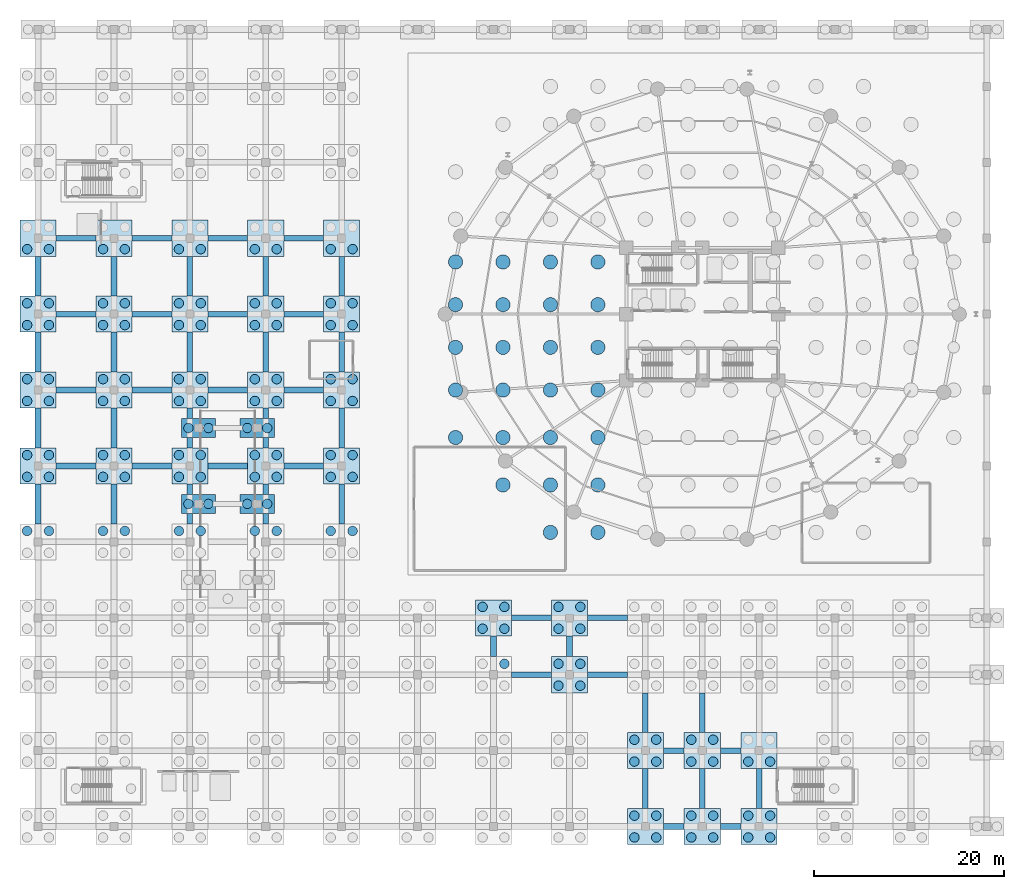
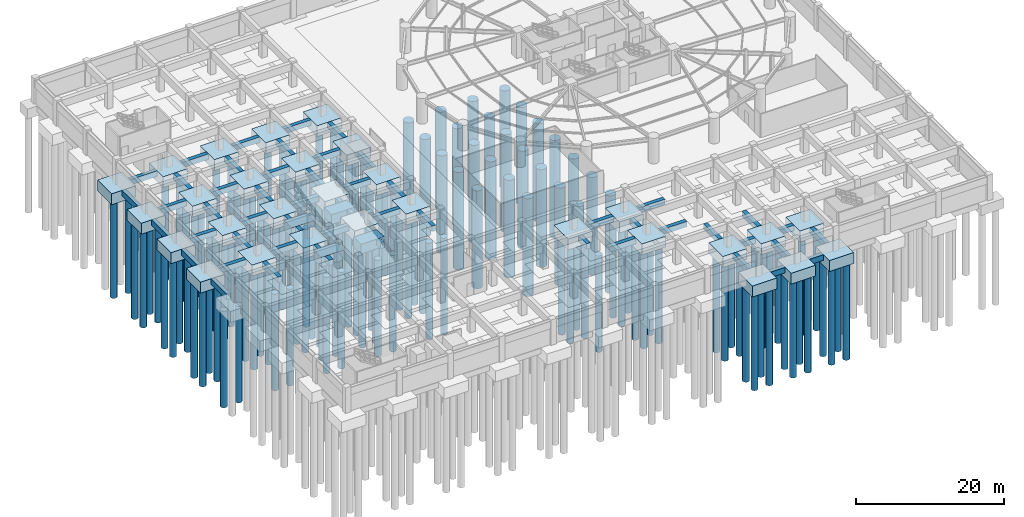
# One storey, part 2 of 23: 148 piles, 88 footings.
"""IFC4 building model written with IfcOpenShell, lengths in metres."""

from ifc_helpers import new_model, si_unit, direction, frame, origin, origin_2d, place, context, subcontext, project, spatial, rectangle, circle, extrude, source, transform, mapped, material, material_profile, profile_set, type_object, element, save


model = new_model("IFC4")

# Units and contexts
model_context = context("Model", 3, precision=1e-05, world=origin(), true_north=direction((0.0, 1.0)))
body_context = subcontext(model_context, "Body", "Model", "MODEL_VIEW")
ifc_project = project(units=[si_unit("LENGTHUNIT", "METRE"), si_unit("AREAUNIT", "SQUARE_METRE"), si_unit("VOLUMEUNIT", "CUBIC_METRE"), si_unit("PLANEANGLEUNIT", "RADIAN"), si_unit("MASSUNIT", "GRAM", prefix="KILO")], contexts=[model_context])

# Site, building, storey
site_placement = place(None, origin())
site = spatial("IfcSite", under=ifc_project, at=site_placement, CompositionType="ELEMENT")
building_placement = place(site_placement, origin())
building = spatial("IfcBuilding", under=site, at=building_placement, Name="Kelanora Arch Commons", CompositionType="ELEMENT")
storey_placement = place(building_placement, frame((0.0, 0.0, -8.39990234375)))
storey = spatial("IfcBuildingStorey", under=building, at=storey_placement, Name="B02", CompositionType="ELEMENT", Elevation=-8.39990234375)

# Piles
ifc_material_1 = material(Name="Concrete C45/55", Category="concrete")
ifc_material_profile_1 = material_profile(ifc_material_1, circle(Radius=0.75, at=origin_2d()), Name="PILE1500")
ifc_profile_set_1 = profile_set([ifc_material_profile_1], Name="Concrete C45/55")
pile_type_1 = type_object("IfcPileType", Name="PILE-TWR-1500", PredefinedType="BORED", material=ifc_profile_set_1)
shared_shape_1 = source(origin(), body_context, "Body", "SweptSolid", [
    extrude(circle(Radius=0.75, at=origin_2d()), origin(), (0.0, 0.0, 1.0), 16.10009765625),
])
for number, where, z_axis, x_axis, name in (
    (1, (48.0, 45.0, -3.5), (0.0, 0.0, -1.0), (1.0, 0.0, 0.0), "Tower Bored Pile 001"),
    (2, (48.0, 50.0, -3.5), (0.0, 0.0, -1.0), (1.0, 0.0, 0.0), "Tower Bored Pile 002"),
    (3, (48.0, 54.5, -3.5), (0.0, 0.0, -1.0), (1.0, 0.0, 0.0), "Tower Bored Pile 003"),
    (4, (48.0, 59.0, -3.5), (0.0, 0.0, -1.0), (1.0, 0.0, 0.0), "Tower Bored Pile 004"),
    (5, (48.0, 63.5, -3.5), (0.0, 0.0, -1.0), (1.0, 0.0, 0.0), "Tower Bored Pile 005"),
    (6, (53.0, 40.0, -3.5), (0.0, 0.0, -1.0), (1.0, 0.0, 0.0), "Tower Bored Pile 008"),
    (7, (53.0, 45.0, -3.5), (0.0, 0.0, -1.0), (1.0, 0.0, 0.0), "Tower Bored Pile 009"),
    (8, (53.0, 50.0, -3.5), (0.0, 0.0, -1.0), (1.0, 0.0, 0.0), "Tower Bored Pile 010"),
    (9, (53.0, 54.5, -3.5), (0.0, 0.0, -1.0), (1.0, 0.0, 0.0), "Tower Bored Pile 011"),
    (10, (53.0, 59.0, -3.5), (0.0, 0.0, -1.0), (1.0, 0.0, 0.0), "Tower Bored Pile 012"),
    (11, (53.0, 63.5, -3.5), (0.0, 0.0, -1.0), (1.0, 0.0, 0.0), "Tower Bored Pile 013"),
    (12, (58.0, 35.0, -3.5), (0.0, 0.0, -1.0), (1.0, 0.0, 0.0), "Tower Bored Pile 017"),
    (13, (58.0, 40.0, -3.5), (0.0, 0.0, -1.0), (1.0, 0.0, 0.0), "Tower Bored Pile 018"),
    (14, (58.0, 45.0, -3.5), (0.0, 0.0, -1.0), (1.0, 0.0, 0.0), "Tower Bored Pile 019"),
    (15, (58.0, 50.0, -3.5), (0.0, 0.0, -1.0), (1.0, 0.0, 0.0), "Tower Bored Pile 020"),
    (16, (58.0, 54.5, -3.5), (0.0, 0.0, -1.0), (1.0, 0.0, 0.0), "Tower Bored Pile 021"),
    (17, (58.0, 59.0, -3.5), (0.0, 0.0, -1.0), (1.0, 0.0, 0.0), "Tower Bored Pile 022"),
    (18, (58.0, 63.5, -3.5), (0.0, 0.0, -1.0), (1.0, 0.0, 0.0), "Tower Bored Pile 023"),
    (19, (63.0, 35.0, -3.5), (0.0, 0.0, -1.0), (1.0, 0.0, 0.0), "Tower Bored Pile 028"),
    (20, (63.0, 40.0, -3.5), (0.0, 0.0, -1.0), (1.0, 0.0, 0.0), "Tower Bored Pile 029"),
    (21, (63.0, 45.0, -3.5), (0.0, 0.0, -1.0), (1.0, 0.0, 0.0), "Tower Bored Pile 030"),
    (22, (63.0, 50.0, -3.5), (0.0, 0.0, -1.0), (1.0, 0.0, 0.0), "Tower Bored Pile 031"),
    (23, (63.0, 54.5, -3.5), (0.0, 0.0, -1.0), (1.0, 0.0, 0.0), "Tower Bored Pile 032"),
    (24, (63.0, 59.0, -3.5), (0.0, 0.0, -1.0), (1.0, 0.0, 0.0), "Tower Bored Pile 033"),
    (25, (63.0, 63.5, -3.5), (0.0, 0.0, -1.0), (1.0, 0.0, 0.0), "Tower Bored Pile 034"),
):
    element("IfcPile", number, at=place(storey_placement, frame(where, z_axis=z_axis, x_axis=x_axis)), inside=storey, type_object=pile_type_1, Name=name, PredefinedType="BORED", context=body_context, shape_type="MappedRepresentation", body=[
        mapped(shared_shape_1, transform((0.0, 0.0, 0.0), scale=1.0)),
    ])

# Footings
ifc_material_2 = material(Name="Concrete C40/50", Category="concrete")
footing_type_1 = type_object("IfcFootingType", Name="FTG-MKT-CAP4", PredefinedType="PILE_CAP", material=ifc_material_2)
shared_shape_2 = source(origin(), body_context, "Body", "SweptSolid", [
    extrude(rectangle(XDim=3.800048828125, YDim=3.800048828125, at=origin_2d()), origin(), (0.0, 0.0, 1.0), 1.800048828125),
])
for number, where, z_axis, x_axis, name in (
    (26, (4.0, 42.0, -1.80029296875), (0.0, 0.0, 1.0), (1.0, 0.0, 0.0), "Pile Cap 1-F"),
    (27, (4.0, 50.0, -1.80029296875), (0.0, 0.0, 1.0), (1.0, 0.0, 0.0), "Pile Cap 1-G"),
    (28, (4.0, 58.0, -1.80029296875), (0.0, 0.0, 1.0), (1.0, 0.0, 0.0), "Pile Cap 1-H"),
    (29, (4.0, 66.0, -1.80029296875), (0.0, 0.0, 1.0), (1.0, 0.0, 0.0), "Pile Cap 1-J"),
    (30, (12.0, 42.0, -1.80029296875), (0.0, 0.0, 1.0), (1.0, 0.0, 0.0), "Pile Cap 2-F"),
    (31, (12.0, 50.0, -1.80029296875), (0.0, 0.0, 1.0), (1.0, 0.0, 0.0), "Pile Cap 2-G"),
    (32, (12.0, 58.0, -1.80029296875), (0.0, 0.0, 1.0), (1.0, 0.0, 0.0), "Pile Cap 2-H"),
    (33, (12.0, 66.0, -1.80029296875), (0.0, 0.0, 1.0), (1.0, 0.0, 0.0), "Pile Cap 2-J"),
    (34, (20.0, 42.0, -1.80029296875), (0.0, 0.0, 1.0), (1.0, 0.0, 0.0), "Pile Cap 3-F"),
    (35, (20.0, 50.0, -1.80029296875), (0.0, 0.0, 1.0), (1.0, 0.0, 0.0), "Pile Cap 3-G"),
    (36, (20.0, 58.0, -1.80029296875), (0.0, 0.0, 1.0), (1.0, 0.0, 0.0), "Pile Cap 3-H"),
    (37, (20.0, 66.0, -1.80029296875), (0.0, 0.0, 1.0), (1.0, 0.0, 0.0), "Pile Cap 3-J"),
    (38, (28.0, 42.0, -1.80029296875), (0.0, 0.0, 1.0), (1.0, 0.0, 0.0), "Pile Cap 4-F"),
    (39, (28.0, 50.0, -1.80029296875), (0.0, 0.0, 1.0), (1.0, 0.0, 0.0), "Pile Cap 4-G"),
    (40, (28.0, 58.0, -1.80029296875), (0.0, 0.0, 1.0), (1.0, 0.0, 0.0), "Pile Cap 4-H"),
    (41, (28.0, 66.0, -1.80029296875), (0.0, 0.0, 1.0), (1.0, 0.0, 0.0), "Pile Cap 4-J"),
    (42, (36.0, 42.0, -1.80029296875), (0.0, 0.0, 1.0), (1.0, 0.0, 0.0), "Pile Cap 5-F"),
    (43, (36.0, 50.0, -1.80029296875), (0.0, 0.0, 1.0), (1.0, 0.0, 0.0), "Pile Cap 5-G"),
    (44, (36.0, 58.0, -1.80029296875), (0.0, 0.0, 1.0), (1.0, 0.0, 0.0), "Pile Cap 5-H"),
    (45, (36.0, 66.0, -1.80029296875), (0.0, 0.0, 1.0), (1.0, 0.0, 0.0), "Pile Cap 5-J"),
    (46, (52.0, 26.0, -1.80029296875), (0.0, 0.0, 1.0), (1.0, 0.0, 0.0), "Pile Cap 7-D"),
    (47, (60.0, 20.0, -1.80029296875), (0.0, 0.0, 1.0), (1.0, 0.0, 0.0), "Pile Cap 8-C"),
    (48, (60.0, 26.0, -1.80029296875), (0.0, 0.0, 1.0), (1.0, 0.0, 0.0), "Pile Cap 8-D"),
    (49, (68.0, 4.0, -1.80029296875), (0.0, 0.0, 1.0), (1.0, 0.0, 0.0), "Pile Cap 9-A"),
    (50, (68.0, 12.0, -1.80029296875), (0.0, 0.0, 1.0), (1.0, 0.0, 0.0), "Pile Cap 9-B"),
    (51, (74.0, 4.0, -1.80029296875), (0.0, 0.0, 1.0), (1.0, 0.0, 0.0), "Pile Cap 10-A"),
    (52, (74.0, 12.0, -1.80029296875), (0.0, 0.0, 1.0), (1.0, 0.0, 0.0), "Pile Cap 10-B"),
    (53, (80.0, 4.0, -1.80029296875), (0.0, 0.0, 1.0), (1.0, 0.0, 0.0), "Pile Cap 11-A"),
    (54, (80.0, 12.0, -1.80029296875), (0.0, 0.0, 1.0), (1.0, 0.0, 0.0), "Pile Cap 11-B"),
):
    element("IfcFooting", number, at=place(storey_placement, frame(where, z_axis=z_axis, x_axis=x_axis)), inside=storey, type_object=footing_type_1, Name=name, PredefinedType="PILE_CAP", context=body_context, shape_type="MappedRepresentation", body=[
        mapped(shared_shape_2, transform((0.0, 0.0, 0.0), scale=1.0)),
    ])

# Piles
ifc_material_profile_2 = material_profile(ifc_material_1, circle(Radius=0.5, at=origin_2d()), Name="PILE1000")
ifc_profile_set_2 = profile_set([ifc_material_profile_2], Name="Concrete C45/55")
pile_type_2 = type_object("IfcPileType", Name="PILE-MKT-1000", PredefinedType="BORED", material=ifc_profile_set_2)
shared_shape_3 = source(origin(), body_context, "Body", "SweptSolid", [
    extrude(circle(Radius=0.5, at=origin_2d()), origin(), (0.0, 0.0, 1.0), 15.89990234375),
])
for number, where, z_axis, x_axis, name in (
    (55, (5.14990234375, 35.14990234375, -1.7001953125), (0.0, 0.0, -1.0), (1.0, 0.0, 0.0), "Market Bored Pile 1-E-3"),
    (56, (2.85009765625, 35.14990234375, -1.7001953125), (0.0, 0.0, -1.0), (1.0, 0.0, 0.0), "Market Bored Pile 1-E-4"),
    (57, (2.85009765625, 40.85009765625, -1.7001953125), (0.0, 0.0, -1.0), (1.0, 0.0, 0.0), "Market Bored Pile 1-F-1"),
    (58, (5.14990234375, 40.85009765625, -1.7001953125), (0.0, 0.0, -1.0), (1.0, 0.0, 0.0), "Market Bored Pile 1-F-2"),
    (59, (5.14990234375, 43.14990234375, -1.7001953125), (0.0, 0.0, -1.0), (1.0, 0.0, 0.0), "Market Bored Pile 1-F-3"),
    (60, (2.85009765625, 43.14990234375, -1.7001953125), (0.0, 0.0, -1.0), (1.0, 0.0, 0.0), "Market Bored Pile 1-F-4"),
    (61, (2.85009765625, 48.85009765625, -1.7001953125), (0.0, 0.0, -1.0), (1.0, 0.0, 0.0), "Market Bored Pile 1-G-1"),
    (62, (5.14990234375, 48.85009765625, -1.7001953125), (0.0, 0.0, -1.0), (1.0, 0.0, 0.0), "Market Bored Pile 1-G-2"),
    (63, (5.14990234375, 51.14990234375, -1.7001953125), (0.0, 0.0, -1.0), (1.0, 0.0, 0.0), "Market Bored Pile 1-G-3"),
    (64, (2.85009765625, 51.14990234375, -1.7001953125), (0.0, 0.0, -1.0), (1.0, 0.0, 0.0), "Market Bored Pile 1-G-4"),
    (65, (2.85009765625, 56.85009765625, -1.7001953125), (0.0, 0.0, -1.0), (1.0, 0.0, 0.0), "Market Bored Pile 1-H-1"),
    (66, (5.14990234375, 56.85009765625, -1.7001953125), (0.0, 0.0, -1.0), (1.0, 0.0, 0.0), "Market Bored Pile 1-H-2"),
    (67, (5.14990234375, 59.14990234375, -1.7001953125), (0.0, 0.0, -1.0), (1.0, 0.0, 0.0), "Market Bored Pile 1-H-3"),
    (68, (2.85009765625, 59.14990234375, -1.7001953125), (0.0, 0.0, -1.0), (1.0, 0.0, 0.0), "Market Bored Pile 1-H-4"),
    (69, (2.85009765625, 64.85009765625, -1.7001953125), (0.0, 0.0, -1.0), (1.0, 0.0, 0.0), "Market Bored Pile 1-J-1"),
    (70, (5.14990234375, 64.85009765625, -1.7001953125), (0.0, 0.0, -1.0), (1.0, 0.0, 0.0), "Market Bored Pile 1-J-2"),
    (71, (13.14990234375, 35.14990234375, -1.7001953125), (0.0, 0.0, -1.0), (1.0, 0.0, 0.0), "Market Bored Pile 2-E-3"),
    (72, (10.85009765625, 35.14990234375, -1.7001953125), (0.0, 0.0, -1.0), (1.0, 0.0, 0.0), "Market Bored Pile 2-E-4"),
    (73, (10.85009765625, 40.85009765625, -1.7001953125), (0.0, 0.0, -1.0), (1.0, 0.0, 0.0), "Market Bored Pile 2-F-1"),
    (74, (13.14990234375, 40.85009765625, -1.7001953125), (0.0, 0.0, -1.0), (1.0, 0.0, 0.0), "Market Bored Pile 2-F-2"),
    (75, (13.14990234375, 43.14990234375, -1.7001953125), (0.0, 0.0, -1.0), (1.0, 0.0, 0.0), "Market Bored Pile 2-F-3"),
    (76, (10.85009765625, 43.14990234375, -1.7001953125), (0.0, 0.0, -1.0), (1.0, 0.0, 0.0), "Market Bored Pile 2-F-4"),
    (77, (10.85009765625, 48.85009765625, -1.7001953125), (0.0, 0.0, -1.0), (1.0, 0.0, 0.0), "Market Bored Pile 2-G-1"),
    (78, (13.14990234375, 48.85009765625, -1.7001953125), (0.0, 0.0, -1.0), (1.0, 0.0, 0.0), "Market Bored Pile 2-G-2"),
    (79, (13.14990234375, 51.14990234375, -1.7001953125), (0.0, 0.0, -1.0), (1.0, 0.0, 0.0), "Market Bored Pile 2-G-3"),
    (80, (10.85009765625, 51.14990234375, -1.7001953125), (0.0, 0.0, -1.0), (1.0, 0.0, 0.0), "Market Bored Pile 2-G-4"),
    (81, (10.85009765625, 56.85009765625, -1.7001953125), (0.0, 0.0, -1.0), (1.0, 0.0, 0.0), "Market Bored Pile 2-H-1"),
    (82, (13.14990234375, 56.85009765625, -1.7001953125), (0.0, 0.0, -1.0), (1.0, 0.0, 0.0), "Market Bored Pile 2-H-2"),
    (83, (13.14990234375, 59.14990234375, -1.7001953125), (0.0, 0.0, -1.0), (1.0, 0.0, 0.0), "Market Bored Pile 2-H-3"),
    (84, (10.85009765625, 59.14990234375, -1.7001953125), (0.0, 0.0, -1.0), (1.0, 0.0, 0.0), "Market Bored Pile 2-H-4"),
    (85, (10.85009765625, 64.85009765625, -1.7001953125), (0.0, 0.0, -1.0), (1.0, 0.0, 0.0), "Market Bored Pile 2-J-1"),
    (86, (13.14990234375, 64.85009765625, -1.7001953125), (0.0, 0.0, -1.0), (1.0, 0.0, 0.0), "Market Bored Pile 2-J-2"),
    (87, (21.14990234375, 35.14990234375, -1.7001953125), (0.0, 0.0, -1.0), (1.0, 0.0, 0.0), "Market Bored Pile 3-E-3"),
    (88, (18.85009765625, 35.14990234375, -1.7001953125), (0.0, 0.0, -1.0), (1.0, 0.0, 0.0), "Market Bored Pile 3-E-4"),
    (89, (18.85009765625, 40.85009765625, -1.7001953125), (0.0, 0.0, -1.0), (1.0, 0.0, 0.0), "Market Bored Pile 3-F-1"),
    (90, (21.14990234375, 40.85009765625, -1.7001953125), (0.0, 0.0, -1.0), (1.0, 0.0, 0.0), "Market Bored Pile 3-F-2"),
    (91, (21.14990234375, 43.14990234375, -1.7001953125), (0.0, 0.0, -1.0), (1.0, 0.0, 0.0), "Market Bored Pile 3-F-3"),
    (92, (18.85009765625, 43.14990234375, -1.7001953125), (0.0, 0.0, -1.0), (1.0, 0.0, 0.0), "Market Bored Pile 3-F-4"),
    (93, (18.85009765625, 48.85009765625, -1.7001953125), (0.0, 0.0, -1.0), (1.0, 0.0, 0.0), "Market Bored Pile 3-G-1"),
    (94, (21.14990234375, 48.85009765625, -1.7001953125), (0.0, 0.0, -1.0), (1.0, 0.0, 0.0), "Market Bored Pile 3-G-2"),
    (95, (21.14990234375, 51.14990234375, -1.7001953125), (0.0, 0.0, -1.0), (1.0, 0.0, 0.0), "Market Bored Pile 3-G-3"),
    (96, (18.85009765625, 51.14990234375, -1.7001953125), (0.0, 0.0, -1.0), (1.0, 0.0, 0.0), "Market Bored Pile 3-G-4"),
    (97, (18.85009765625, 56.85009765625, -1.7001953125), (0.0, 0.0, -1.0), (1.0, 0.0, 0.0), "Market Bored Pile 3-H-1"),
    (98, (21.14990234375, 56.85009765625, -1.7001953125), (0.0, 0.0, -1.0), (1.0, 0.0, 0.0), "Market Bored Pile 3-H-2"),
    (99, (21.14990234375, 59.14990234375, -1.7001953125), (0.0, 0.0, -1.0), (1.0, 0.0, 0.0), "Market Bored Pile 3-H-3"),
    (100, (18.85009765625, 59.14990234375, -1.7001953125), (0.0, 0.0, -1.0), (1.0, 0.0, 0.0), "Market Bored Pile 3-H-4"),
    (101, (18.85009765625, 64.85009765625, -1.7001953125), (0.0, 0.0, -1.0), (1.0, 0.0, 0.0), "Market Bored Pile 3-J-1"),
    (102, (21.14990234375, 64.85009765625, -1.7001953125), (0.0, 0.0, -1.0), (1.0, 0.0, 0.0), "Market Bored Pile 3-J-2"),
    (103, (29.14990234375, 35.14990234375, -1.7001953125), (0.0, 0.0, -1.0), (1.0, 0.0, 0.0), "Market Bored Pile 4-E-3"),
    (104, (26.85009765625, 35.14990234375, -1.7001953125), (0.0, 0.0, -1.0), (1.0, 0.0, 0.0), "Market Bored Pile 4-E-4"),
    (105, (26.85009765625, 40.85009765625, -1.7001953125), (0.0, 0.0, -1.0), (1.0, 0.0, 0.0), "Market Bored Pile 4-F-1"),
    (106, (29.14990234375, 40.85009765625, -1.7001953125), (0.0, 0.0, -1.0), (1.0, 0.0, 0.0), "Market Bored Pile 4-F-2"),
    (107, (29.14990234375, 43.14990234375, -1.7001953125), (0.0, 0.0, -1.0), (1.0, 0.0, 0.0), "Market Bored Pile 4-F-3"),
    (108, (26.85009765625, 43.14990234375, -1.7001953125), (0.0, 0.0, -1.0), (1.0, 0.0, 0.0), "Market Bored Pile 4-F-4"),
    (109, (26.85009765625, 48.85009765625, -1.7001953125), (0.0, 0.0, -1.0), (1.0, 0.0, 0.0), "Market Bored Pile 4-G-1"),
    (110, (29.14990234375, 48.85009765625, -1.7001953125), (0.0, 0.0, -1.0), (1.0, 0.0, 0.0), "Market Bored Pile 4-G-2"),
    (111, (29.14990234375, 51.14990234375, -1.7001953125), (0.0, 0.0, -1.0), (1.0, 0.0, 0.0), "Market Bored Pile 4-G-3"),
    (112, (26.85009765625, 51.14990234375, -1.7001953125), (0.0, 0.0, -1.0), (1.0, 0.0, 0.0), "Market Bored Pile 4-G-4"),
    (113, (26.85009765625, 56.85009765625, -1.7001953125), (0.0, 0.0, -1.0), (1.0, 0.0, 0.0), "Market Bored Pile 4-H-1"),
    (114, (29.14990234375, 56.85009765625, -1.7001953125), (0.0, 0.0, -1.0), (1.0, 0.0, 0.0), "Market Bored Pile 4-H-2"),
    (115, (29.14990234375, 59.14990234375, -1.7001953125), (0.0, 0.0, -1.0), (1.0, 0.0, 0.0), "Market Bored Pile 4-H-3"),
    (116, (26.85009765625, 59.14990234375, -1.7001953125), (0.0, 0.0, -1.0), (1.0, 0.0, 0.0), "Market Bored Pile 4-H-4"),
    (117, (26.85009765625, 64.85009765625, -1.7001953125), (0.0, 0.0, -1.0), (1.0, 0.0, 0.0), "Market Bored Pile 4-J-1"),
    (118, (29.14990234375, 64.85009765625, -1.7001953125), (0.0, 0.0, -1.0), (1.0, 0.0, 0.0), "Market Bored Pile 4-J-2"),
    (119, (37.14990234375, 35.14990234375, -1.7001953125), (0.0, 0.0, -1.0), (1.0, 0.0, 0.0), "Market Bored Pile 5-E-3"),
    (120, (34.85009765625, 35.14990234375, -1.7001953125), (0.0, 0.0, -1.0), (1.0, 0.0, 0.0), "Market Bored Pile 5-E-4"),
    (121, (34.85009765625, 40.85009765625, -1.7001953125), (0.0, 0.0, -1.0), (1.0, 0.0, 0.0), "Market Bored Pile 5-F-1"),
    (122, (37.14990234375, 40.85009765625, -1.7001953125), (0.0, 0.0, -1.0), (1.0, 0.0, 0.0), "Market Bored Pile 5-F-2"),
    (123, (37.14990234375, 43.14990234375, -1.7001953125), (0.0, 0.0, -1.0), (1.0, 0.0, 0.0), "Market Bored Pile 5-F-3"),
    (124, (34.85009765625, 43.14990234375, -1.7001953125), (0.0, 0.0, -1.0), (1.0, 0.0, 0.0), "Market Bored Pile 5-F-4"),
    (125, (34.85009765625, 48.85009765625, -1.7001953125), (0.0, 0.0, -1.0), (1.0, 0.0, 0.0), "Market Bored Pile 5-G-1"),
    (126, (37.14990234375, 48.85009765625, -1.7001953125), (0.0, 0.0, -1.0), (1.0, 0.0, 0.0), "Market Bored Pile 5-G-2"),
    (127, (37.14990234375, 51.14990234375, -1.7001953125), (0.0, 0.0, -1.0), (1.0, 0.0, 0.0), "Market Bored Pile 5-G-3"),
    (128, (34.85009765625, 51.14990234375, -1.7001953125), (0.0, 0.0, -1.0), (1.0, 0.0, 0.0), "Market Bored Pile 5-G-4"),
    (129, (34.85009765625, 56.85009765625, -1.7001953125), (0.0, 0.0, -1.0), (1.0, 0.0, 0.0), "Market Bored Pile 5-H-1"),
    (130, (37.14990234375, 56.85009765625, -1.7001953125), (0.0, 0.0, -1.0), (1.0, 0.0, 0.0), "Market Bored Pile 5-H-2"),
    (131, (37.14990234375, 59.14990234375, -1.7001953125), (0.0, 0.0, -1.0), (1.0, 0.0, 0.0), "Market Bored Pile 5-H-3"),
    (132, (34.85009765625, 59.14990234375, -1.7001953125), (0.0, 0.0, -1.0), (1.0, 0.0, 0.0), "Market Bored Pile 5-H-4"),
    (133, (34.85009765625, 64.85009765625, -1.7001953125), (0.0, 0.0, -1.0), (1.0, 0.0, 0.0), "Market Bored Pile 5-J-1"),
    (134, (37.14990234375, 64.85009765625, -1.7001953125), (0.0, 0.0, -1.0), (1.0, 0.0, 0.0), "Market Bored Pile 5-J-2"),
    (135, (53.14990234375, 21.14990234375, -1.7001953125), (0.0, 0.0, -1.0), (1.0, 0.0, 0.0), "Market Bored Pile 7-C-3"),
    (136, (50.85009765625, 24.85009765625, -1.7001953125), (0.0, 0.0, -1.0), (1.0, 0.0, 0.0), "Market Bored Pile 7-D-1"),
    (137, (53.14990234375, 24.85009765625, -1.7001953125), (0.0, 0.0, -1.0), (1.0, 0.0, 0.0), "Market Bored Pile 7-D-2"),
    (138, (53.14990234375, 27.14990234375, -1.7001953125), (0.0, 0.0, -1.0), (1.0, 0.0, 0.0), "Market Bored Pile 7-D-3"),
    (139, (50.85009765625, 27.14990234375, -1.7001953125), (0.0, 0.0, -1.0), (1.0, 0.0, 0.0), "Market Bored Pile 7-D-4"),
    (140, (58.85009765625, 18.85009765625, -1.7001953125), (0.0, 0.0, -1.0), (1.0, 0.0, 0.0), "Market Bored Pile 8-C-1"),
    (141, (61.14990234375, 18.85009765625, -1.7001953125), (0.0, 0.0, -1.0), (1.0, 0.0, 0.0), "Market Bored Pile 8-C-2"),
    (142, (61.14990234375, 21.14990234375, -1.7001953125), (0.0, 0.0, -1.0), (1.0, 0.0, 0.0), "Market Bored Pile 8-C-3"),
    (143, (58.85009765625, 21.14990234375, -1.7001953125), (0.0, 0.0, -1.0), (1.0, 0.0, 0.0), "Market Bored Pile 8-C-4"),
    (144, (58.85009765625, 24.85009765625, -1.7001953125), (0.0, 0.0, -1.0), (1.0, 0.0, 0.0), "Market Bored Pile 8-D-1"),
    (145, (61.14990234375, 24.85009765625, -1.7001953125), (0.0, 0.0, -1.0), (1.0, 0.0, 0.0), "Market Bored Pile 8-D-2"),
    (146, (61.14990234375, 27.14990234375, -1.7001953125), (0.0, 0.0, -1.0), (1.0, 0.0, 0.0), "Market Bored Pile 8-D-3"),
    (147, (58.85009765625, 27.14990234375, -1.7001953125), (0.0, 0.0, -1.0), (1.0, 0.0, 0.0), "Market Bored Pile 8-D-4"),
    (148, (66.85009765625, 2.85009765625, -1.7001953125), (0.0, 0.0, -1.0), (1.0, 0.0, 0.0), "Market Bored Pile 9-A-1"),
    (149, (69.14990234375, 2.85009765625, -1.7001953125), (0.0, 0.0, -1.0), (1.0, 0.0, 0.0), "Market Bored Pile 9-A-2"),
    (150, (69.14990234375, 5.14990234375, -1.7001953125), (0.0, 0.0, -1.0), (1.0, 0.0, 0.0), "Market Bored Pile 9-A-3"),
    (151, (66.85009765625, 5.14990234375, -1.7001953125), (0.0, 0.0, -1.0), (1.0, 0.0, 0.0), "Market Bored Pile 9-A-4"),
    (152, (66.85009765625, 10.85009765625, -1.7001953125), (0.0, 0.0, -1.0), (1.0, 0.0, 0.0), "Market Bored Pile 9-B-1"),
    (153, (69.14990234375, 10.85009765625, -1.7001953125), (0.0, 0.0, -1.0), (1.0, 0.0, 0.0), "Market Bored Pile 9-B-2"),
    (154, (69.14990234375, 13.14990234375, -1.7001953125), (0.0, 0.0, -1.0), (1.0, 0.0, 0.0), "Market Bored Pile 9-B-3"),
    (155, (66.85009765625, 13.14990234375, -1.7001953125), (0.0, 0.0, -1.0), (1.0, 0.0, 0.0), "Market Bored Pile 9-B-4"),
    (156, (72.85009765625, 2.85009765625, -1.7001953125), (0.0, 0.0, -1.0), (1.0, 0.0, 0.0), "Market Bored Pile 10-A-1"),
    (157, (75.14990234375, 2.85009765625, -1.7001953125), (0.0, 0.0, -1.0), (1.0, 0.0, 0.0), "Market Bored Pile 10-A-2"),
    (158, (75.14990234375, 5.14990234375, -1.7001953125), (0.0, 0.0, -1.0), (1.0, 0.0, 0.0), "Market Bored Pile 10-A-3"),
    (159, (72.85009765625, 5.14990234375, -1.7001953125), (0.0, 0.0, -1.0), (1.0, 0.0, 0.0), "Market Bored Pile 10-A-4"),
    (160, (72.85009765625, 10.85009765625, -1.7001953125), (0.0, 0.0, -1.0), (1.0, 0.0, 0.0), "Market Bored Pile 10-B-1"),
    (161, (75.14990234375, 10.85009765625, -1.7001953125), (0.0, 0.0, -1.0), (1.0, 0.0, 0.0), "Market Bored Pile 10-B-2"),
    (162, (75.14990234375, 13.14990234375, -1.7001953125), (0.0, 0.0, -1.0), (1.0, 0.0, 0.0), "Market Bored Pile 10-B-3"),
    (163, (72.85009765625, 13.14990234375, -1.7001953125), (0.0, 0.0, -1.0), (1.0, 0.0, 0.0), "Market Bored Pile 10-B-4"),
    (164, (78.85009765625, 2.85009765625, -1.7001953125), (0.0, 0.0, -1.0), (1.0, 0.0, 0.0), "Market Bored Pile 11-A-1"),
    (165, (81.14990234375, 2.85009765625, -1.7001953125), (0.0, 0.0, -1.0), (1.0, 0.0, 0.0), "Market Bored Pile 11-A-2"),
    (166, (81.14990234375, 5.14990234375, -1.7001953125), (0.0, 0.0, -1.0), (1.0, 0.0, 0.0), "Market Bored Pile 11-A-3"),
    (167, (78.85009765625, 5.14990234375, -1.7001953125), (0.0, 0.0, -1.0), (1.0, 0.0, 0.0), "Market Bored Pile 11-A-4"),
    (168, (78.85009765625, 10.85009765625, -1.7001953125), (0.0, 0.0, -1.0), (1.0, 0.0, 0.0), "Market Bored Pile 11-B-1"),
    (169, (81.14990234375, 10.85009765625, -1.7001953125), (0.0, 0.0, -1.0), (1.0, 0.0, 0.0), "Market Bored Pile 11-B-2"),
):
    element("IfcPile", number, at=place(storey_placement, frame(where, z_axis=z_axis, x_axis=x_axis)), inside=storey, type_object=pile_type_2, Name=name, PredefinedType="BORED", context=body_context, shape_type="MappedRepresentation", body=[
        mapped(shared_shape_3, transform((0.0, 0.0, 0.0), scale=1.0)),
    ])

# Footings
footing_type_2 = type_object("IfcFootingType", Name="FTG-MKT-CAP2", PredefinedType="PILE_CAP", material=ifc_material_2)
shared_shape_4 = source(origin(), body_context, "Body", "SweptSolid", [
    extrude(rectangle(XDim=3.60009765625, YDim=2.0, at=origin_2d()), origin(), (0.0, 0.0, 1.0), 1.60009765625),
])
for number, where, z_axis, x_axis, name in (
    (170, (20.89990234375, 46.0, -1.60009765625), (0.0, 0.0, 1.0), (1.0, 0.0, 0.0), "Vehicle Ramp Support Pile Cap NW"),
    (171, (27.10009765625, 46.0, -1.60009765625), (0.0, 0.0, 1.0), (1.0, 0.0, 0.0), "Vehicle Ramp Support Pile Cap NE"),
    (172, (20.89990234375, 38.0, -1.60009765625), (0.0, 0.0, 1.0), (1.0, 0.0, 0.0), "Vehicle Ramp Support Pile Cap MW"),
    (173, (27.10009765625, 38.0, -1.60009765625), (0.0, 0.0, 1.0), (1.0, 0.0, 0.0), "Vehicle Ramp Support Pile Cap ME"),
):
    element("IfcFooting", number, at=place(storey_placement, frame(where, z_axis=z_axis, x_axis=x_axis)), inside=storey, type_object=footing_type_2, Name=name, PredefinedType="PILE_CAP", context=body_context, shape_type="MappedRepresentation", body=[
        mapped(shared_shape_4, transform((0.0, 0.0, 0.0), scale=1.0)),
    ])

# Piles
shared_shape_5 = source(origin(), body_context, "Body", "SweptSolid", [
    extrude(circle(Radius=0.5, at=origin_2d()), origin(), (0.0, 0.0, 1.0), 16.10009765625),
])
for number, where, z_axis, x_axis, name in (
    (174, (19.85009765625, 46.0, -1.5), (0.0, 0.0, -1.0), (1.0, 0.0, 0.0), "Vehicle Ramp Bored Pile NW-1"),
    (175, (21.949951171875, 46.0, -1.5), (0.0, 0.0, -1.0), (1.0, 0.0, 0.0), "Vehicle Ramp Bored Pile NW-2"),
    (176, (26.050048828125, 46.0, -1.5), (0.0, 0.0, -1.0), (1.0, 0.0, 0.0), "Vehicle Ramp Bored Pile NE-1"),
    (177, (28.14990234375, 46.0, -1.5), (0.0, 0.0, -1.0), (1.0, 0.0, 0.0), "Vehicle Ramp Bored Pile NE-2"),
    (178, (19.85009765625, 38.0, -1.5), (0.0, 0.0, -1.0), (1.0, 0.0, 0.0), "Vehicle Ramp Bored Pile MW-1"),
    (179, (21.949951171875, 38.0, -1.5), (0.0, 0.0, -1.0), (1.0, 0.0, 0.0), "Vehicle Ramp Bored Pile MW-2"),
    (180, (26.050048828125, 38.0, -1.5), (0.0, 0.0, -1.0), (1.0, 0.0, 0.0), "Vehicle Ramp Bored Pile ME-1"),
    (181, (28.14990234375, 38.0, -1.5), (0.0, 0.0, -1.0), (1.0, 0.0, 0.0), "Vehicle Ramp Bored Pile ME-2"),
):
    element("IfcPile", number, at=place(storey_placement, frame(where, z_axis=z_axis, x_axis=x_axis)), inside=storey, type_object=pile_type_2, Name=name, PredefinedType="BORED", context=body_context, shape_type="MappedRepresentation", body=[
        mapped(shared_shape_5, transform((0.0, 0.0, 0.0), scale=1.0)),
    ])

# Footings
footing_type_3 = type_object("IfcFootingType", Name="FTG-TIE-BEAM", PredefinedType="FOOTING_BEAM", material=ifc_material_2)
shared_shape_6 = source(origin(), body_context, "Body", "SweptSolid", [
    extrude(rectangle(XDim=4.194091796875, YDim=0.60009765625, at=origin_2d()), origin(), (0.0, 0.0, 1.0), 0.89990234375),
])
for number, where, z_axis, x_axis, name in (
    (182, (4.0, 38.0, -0.900146484375), (0.0, 0.0, 1.0), (0.0, 1.0, 0.0), "Ground Tie Beam 010"),
    (183, (8.0, 42.0, -0.900146484375), (0.0, 0.0, 1.0), (1.0, 0.0, 0.0), "Ground Tie Beam 011"),
    (184, (4.0, 46.0, -0.900146484375), (0.0, 0.0, 1.0), (0.0, 1.0, 0.0), "Ground Tie Beam 012"),
    (185, (8.0, 50.0, -0.900146484375), (0.0, 0.0, 1.0), (1.0, 0.0, 0.0), "Ground Tie Beam 013"),
    (186, (4.0, 54.0, -0.900146484375), (0.0, 0.0, 1.0), (0.0, 1.0, 0.0), "Ground Tie Beam 014"),
    (187, (8.0, 58.0, -0.900146484375), (0.0, 0.0, 1.0), (1.0, 0.0, 0.0), "Ground Tie Beam 015"),
    (188, (4.0, 62.0, -0.900146484375), (0.0, 0.0, 1.0), (0.0, 1.0, 0.0), "Ground Tie Beam 016"),
    (189, (8.0, 66.0, -0.900146484375), (0.0, 0.0, 1.0), (1.0, 0.0, 0.0), "Ground Tie Beam 017"),
    (190, (12.0, 38.0, -0.900146484375), (0.0, 0.0, 1.0), (0.0, 1.0, 0.0), "Ground Tie Beam 032"),
    (191, (16.0, 42.0, -0.900146484375), (0.0, 0.0, 1.0), (1.0, 0.0, 0.0), "Ground Tie Beam 033"),
    (192, (12.0, 46.0, -0.900146484375), (0.0, 0.0, 1.0), (0.0, 1.0, 0.0), "Ground Tie Beam 034"),
    (193, (16.0, 50.0, -0.900146484375), (0.0, 0.0, 1.0), (1.0, 0.0, 0.0), "Ground Tie Beam 035"),
    (194, (12.0, 54.0, -0.900146484375), (0.0, 0.0, 1.0), (0.0, 1.0, 0.0), "Ground Tie Beam 036"),
    (195, (16.0, 58.0, -0.900146484375), (0.0, 0.0, 1.0), (1.0, 0.0, 0.0), "Ground Tie Beam 037"),
    (196, (12.0, 62.0, -0.900146484375), (0.0, 0.0, 1.0), (0.0, 1.0, 0.0), "Ground Tie Beam 038"),
    (197, (16.0, 66.0, -0.900146484375), (0.0, 0.0, 1.0), (1.0, 0.0, 0.0), "Ground Tie Beam 039"),
    (198, (24.0, 42.0, -0.900146484375), (0.0, 0.0, 1.0), (1.0, 0.0, 0.0), "Ground Tie Beam 058"),
    (199, (24.0, 50.0, -0.900146484375), (0.0, 0.0, 1.0), (1.0, 0.0, 0.0), "Ground Tie Beam 061"),
    (200, (20.0, 54.0, -0.900146484375), (0.0, 0.0, 1.0), (0.0, 1.0, 0.0), "Ground Tie Beam 062"),
    (201, (24.0, 58.0, -0.900146484375), (0.0, 0.0, 1.0), (1.0, 0.0, 0.0), "Ground Tie Beam 063"),
    (202, (20.0, 62.0, -0.900146484375), (0.0, 0.0, 1.0), (0.0, 1.0, 0.0), "Ground Tie Beam 064"),
    (203, (24.0, 66.0, -0.900146484375), (0.0, 0.0, 1.0), (1.0, 0.0, 0.0), "Ground Tie Beam 065"),
    (204, (32.0, 42.0, -0.900146484375), (0.0, 0.0, 1.0), (1.0, 0.0, 0.0), "Ground Tie Beam 084"),
    (205, (32.0, 50.0, -0.900146484375), (0.0, 0.0, 1.0), (1.0, 0.0, 0.0), "Ground Tie Beam 087"),
    (206, (28.0, 54.0, -0.900146484375), (0.0, 0.0, 1.0), (0.0, 1.0, 0.0), "Ground Tie Beam 088"),
    (207, (32.0, 58.0, -0.900146484375), (0.0, 0.0, 1.0), (1.0, 0.0, 0.0), "Ground Tie Beam 089"),
    (208, (28.0, 62.0, -0.900146484375), (0.0, 0.0, 1.0), (0.0, 1.0, 0.0), "Ground Tie Beam 090"),
    (209, (32.0, 66.0, -0.900146484375), (0.0, 0.0, 1.0), (1.0, 0.0, 0.0), "Ground Tie Beam 091"),
    (210, (36.0, 38.0, -0.900146484375), (0.0, 0.0, 1.0), (0.0, 1.0, 0.0), "Ground Tie Beam 106"),
    (211, (36.0, 46.0, -0.900146484375), (0.0, 0.0, 1.0), (0.0, 1.0, 0.0), "Ground Tie Beam 107"),
    (212, (36.0, 54.0, -0.900146484375), (0.0, 0.0, 1.0), (0.0, 1.0, 0.0), "Ground Tie Beam 108"),
    (213, (36.0, 62.0, -0.900146484375), (0.0, 0.0, 1.0), (0.0, 1.0, 0.0), "Ground Tie Beam 109"),
    (214, (56.0, 20.0, -0.900146484375), (0.0, 0.0, 1.0), (1.0, 0.0, 0.0), "Ground Tie Beam 126"),
    (215, (56.0, 26.0, -0.900146484375), (0.0, 0.0, 1.0), (1.0, 0.0, 0.0), "Ground Tie Beam 128"),
    (216, (64.0, 20.0, -0.900146484375), (0.0, 0.0, 1.0), (1.0, 0.0, 0.0), "Ground Tie Beam 134"),
    (217, (64.0, 26.0, -0.900146484375), (0.0, 0.0, 1.0), (1.0, 0.0, 0.0), "Ground Tie Beam 136"),
    (218, (68.0, 8.0, -0.900146484375), (0.0, 0.0, 1.0), (0.0, 1.0, 0.0), "Ground Tie Beam 139"),
    (219, (68.0, 16.0, -0.900146484375), (0.0, 0.0, 1.0), (0.0, 1.0, 0.0), "Ground Tie Beam 141"),
    (220, (74.0, 8.0, -0.900146484375), (0.0, 0.0, 1.0), (0.0, 1.0, 0.0), "Ground Tie Beam 147"),
    (221, (74.0, 16.0, -0.900146484375), (0.0, 0.0, 1.0), (0.0, 1.0, 0.0), "Ground Tie Beam 149"),
    (222, (80.0, 8.0, -0.900146484375), (0.0, 0.0, 1.0), (0.0, 1.0, 0.0), "Ground Tie Beam 155"),
):
    element("IfcFooting", number, at=place(storey_placement, frame(where, z_axis=z_axis, x_axis=x_axis)), inside=storey, type_object=footing_type_3, Name=name, PredefinedType="FOOTING_BEAM", context=body_context, shape_type="MappedRepresentation", body=[
        mapped(shared_shape_6, transform((0.0, 0.0, 0.0), scale=1.0)),
    ])
shared_shape_7 = source(origin(), body_context, "Body", "SweptSolid", [
    extrude(rectangle(XDim=2.194091796875, YDim=0.60009765625, at=origin_2d()), origin(), (0.0, 0.0, 1.0), 0.89990234375),
])
for number, where, z_axis, x_axis, name in (
    (223, (52.0, 23.0, -0.900146484375), (0.0, 0.0, 1.0), (0.0, 1.0, 0.0), "Ground Tie Beam 127"),
    (224, (60.0, 23.0, -0.900146484375), (0.0, 0.0, 1.0), (0.0, 1.0, 0.0), "Ground Tie Beam 135"),
    (225, (71.0, 4.0, -0.900146484375), (0.0, 0.0, 1.0), (1.0, 0.0, 0.0), "Ground Tie Beam 138"),
    (226, (71.0, 12.0, -0.900146484375), (0.0, 0.0, 1.0), (1.0, 0.0, 0.0), "Ground Tie Beam 140"),
    (227, (77.0, 4.0, -0.900146484375), (0.0, 0.0, 1.0), (1.0, 0.0, 0.0), "Ground Tie Beam 146"),
    (228, (77.0, 12.0, -0.900146484375), (0.0, 0.0, 1.0), (1.0, 0.0, 0.0), "Ground Tie Beam 148"),
):
    element("IfcFooting", number, at=place(storey_placement, frame(where, z_axis=z_axis, x_axis=x_axis)), inside=storey, type_object=footing_type_3, Name=name, PredefinedType="FOOTING_BEAM", context=body_context, shape_type="MappedRepresentation", body=[
        mapped(shared_shape_7, transform((0.0, 0.0, 0.0), scale=1.0)),
    ])
shared_shape_8 = source(origin(), body_context, "Body", "SweptSolid", [
    extrude(rectangle(XDim=1.093994140625, YDim=0.60009765625, at=origin_2d()), origin(), (0.0, 0.0, 1.0), 0.89990234375),
])
for number, where, z_axis, x_axis, name in (
    (229, (20.0, 36.449951171875, -0.900146484375), (0.0, 0.0, 1.0), (0.0, 1.0, 0.0), "Ground Tie Beam 056"),
    (230, (20.0, 39.550048828125, -0.900146484375), (0.0, 0.0, 1.0), (0.0, 1.0, 0.0), "Ground Tie Beam 057"),
    (231, (20.0, 44.449951171875, -0.900146484375), (0.0, 0.0, 1.0), (0.0, 1.0, 0.0), "Ground Tie Beam 059"),
    (232, (20.0, 47.550048828125, -0.900146484375), (0.0, 0.0, 1.0), (0.0, 1.0, 0.0), "Ground Tie Beam 060"),
    (233, (28.0, 36.449951171875, -0.900146484375), (0.0, 0.0, 1.0), (0.0, 1.0, 0.0), "Ground Tie Beam 082"),
    (234, (28.0, 39.550048828125, -0.900146484375), (0.0, 0.0, 1.0), (0.0, 1.0, 0.0), "Ground Tie Beam 083"),
    (235, (28.0, 44.449951171875, -0.900146484375), (0.0, 0.0, 1.0), (0.0, 1.0, 0.0), "Ground Tie Beam 085"),
    (236, (28.0, 47.550048828125, -0.900146484375), (0.0, 0.0, 1.0), (0.0, 1.0, 0.0), "Ground Tie Beam 086"),
):
    element("IfcFooting", number, at=place(storey_placement, frame(where, z_axis=z_axis, x_axis=x_axis)), inside=storey, type_object=footing_type_3, Name=name, PredefinedType="FOOTING_BEAM", context=body_context, shape_type="MappedRepresentation", body=[
        mapped(shared_shape_8, transform((0.0, 0.0, 0.0), scale=1.0)),
    ])

save(model, "model.ifc")
